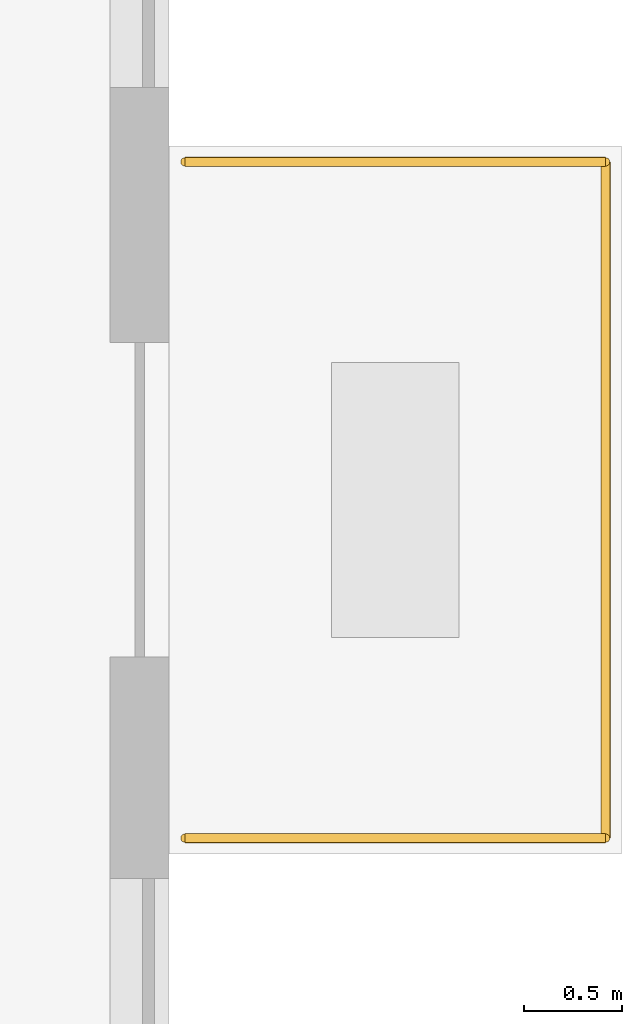
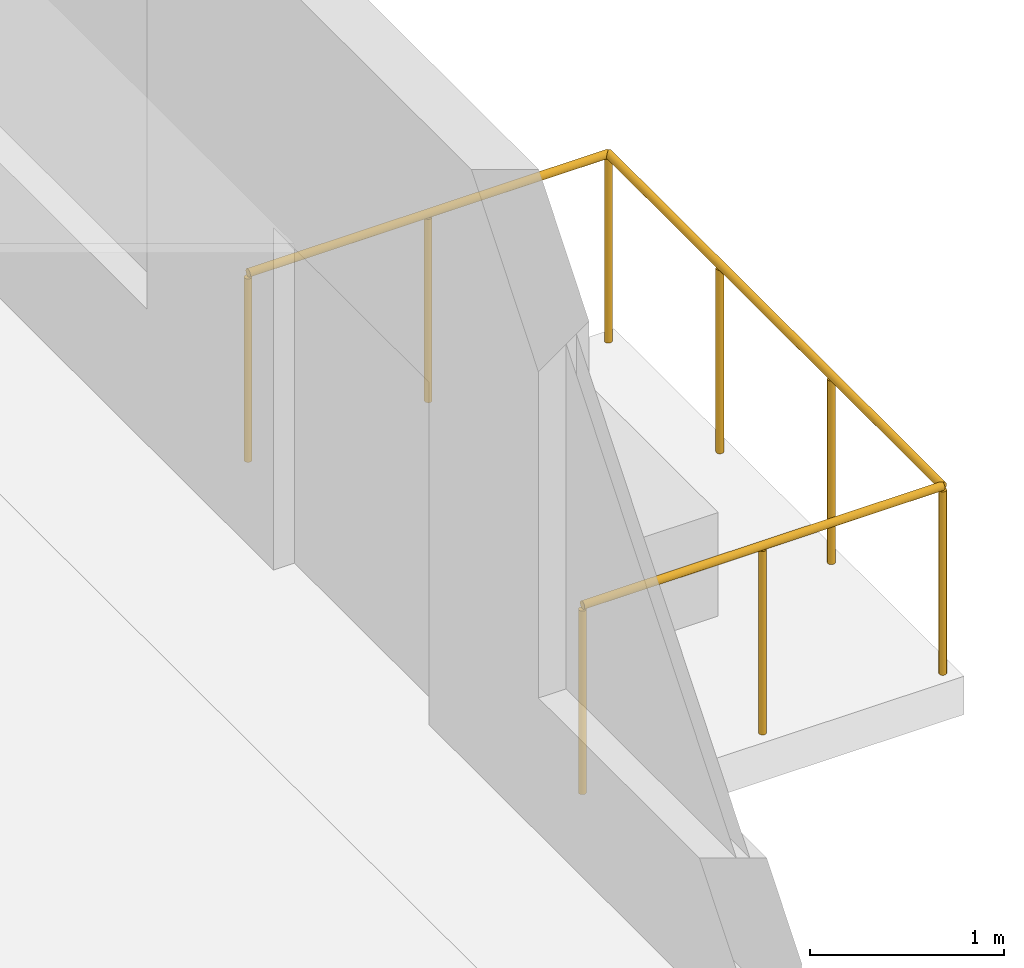
# One storey, part 11 of 11: 3 railings.
"""IFC4 building model written with IfcOpenShell, lengths in metres."""

from ifc_helpers import new_model, si_unit, direction, frame, origin, origin_2d, place, context, subcontext, project, spatial, circle, extrude, material, type_object, element, save


model = new_model("IFC4")

# Units and contexts
model_context = context("Model", 3, precision=1e-05, world=origin(), true_north=direction((0.0, 1.0)))
body_context = subcontext(model_context, "Body", "Model", "MODEL_VIEW")
ifc_project = project(units=[si_unit("LENGTHUNIT", "METRE"), si_unit("AREAUNIT", "SQUARE_METRE"), si_unit("VOLUMEUNIT", "CUBIC_METRE"), si_unit("PLANEANGLEUNIT", "RADIAN"), si_unit("MASSUNIT", "GRAM", prefix="KILO")], contexts=[model_context])

# Site, building, storey
site_placement = place(None, origin())
site = spatial("IfcSite", under=ifc_project, at=site_placement, CompositionType="ELEMENT")
building_placement = place(site_placement, origin())
building = spatial("IfcBuilding", under=site, at=building_placement, Name="Calvemar Wedge Station Tower", CompositionType="ELEMENT")
storey_placement = place(building_placement, frame((0.0, 0.0, 75.0)))
storey = spatial("IfcBuildingStorey", under=building, at=storey_placement, Name="L18", CompositionType="ELEMENT", Elevation=75.0)

# Railings
ifc_material = material(Name="Stainless steel AISI 316L", Category="steel")
railing_type = type_object("IfcRailingType", Name="GRD-TERR-1200", PredefinedType="GUARDRAIL", material=ifc_material)
railing_1_placement = place(storey_placement, frame((56.280029296875, 41.097900390625, 0.0)))
element("IfcRailing", 1, at=railing_1_placement, inside=storey, type_object=railing_type, Name="Storey L18 Spiral Terrace Guard 2", PredefinedType="GUARDRAIL", context=body_context, shape_type="SweptSolid", body=[
    extrude(circle(Radius=0.02392578125, at=origin_2d()), frame((0.0, 0.0, 1.17578125), z_axis=(1.0, 0.0, 0.0), x_axis=(0.0, 1.0, 0.0)), (0.0, 0.0, 1.0), 2.139892578125),
    extrude(circle(Radius=0.02099609375, at=origin_2d()), origin(), (0.0, 0.0, 1.0), 1.15185546875),
    extrude(circle(Radius=0.02099609375, at=origin_2d()), frame((1.06982421875, 0.0, 0.0)), (0.0, 0.0, 1.0), 1.15185546875),
    extrude(circle(Radius=0.02099609375, at=origin_2d()), frame((2.139892578125, 0.0, 0.0)), (0.0, 0.0, 1.0), 1.15185546875),
])
railing_2_placement = place(storey_placement, frame((58.419921875, 41.097900390625, 0.0)))
element("IfcRailing", 2, at=railing_2_placement, inside=storey, type_object=railing_type, Name="Storey L18 Spiral Terrace Guard 3", PredefinedType="GUARDRAIL", context=body_context, shape_type="SweptSolid", body=[
    extrude(circle(Radius=0.02392578125, at=origin_2d()), frame((0.0, 0.0, 1.17578125), z_axis=(0.0, -1.0, 0.0), x_axis=(1.0, 0.0, 0.0)), (0.0, 0.0, 1.0), 3.43994140625),
    extrude(circle(Radius=0.02099609375, at=origin_2d()), origin(), (0.0, 0.0, 1.0), 1.15185546875),
    extrude(circle(Radius=0.02099609375, at=origin_2d()), frame((0.0, -1.146728515625, 0.0)), (0.0, 0.0, 1.0), 1.15185546875),
    extrude(circle(Radius=0.02099609375, at=origin_2d()), frame((0.0, -2.293212890625, 0.0)), (0.0, 0.0, 1.0), 1.15185546875),
    extrude(circle(Radius=0.02099609375, at=origin_2d()), frame((0.0, -3.43994140625, 0.0)), (0.0, 0.0, 1.0), 1.15185546875),
])
railing_3_placement = place(storey_placement, frame((58.419921875, 37.657958984375, 0.0)))
element("IfcRailing", 3, at=railing_3_placement, inside=storey, type_object=railing_type, Name="Storey L18 Spiral Terrace Guard 4", PredefinedType="GUARDRAIL", context=body_context, shape_type="SweptSolid", body=[
    extrude(circle(Radius=0.02392578125, at=origin_2d()), frame((0.0, 0.0, 1.17578125), z_axis=(-1.0, 0.0, 0.0), x_axis=(0.0, -1.0, 0.0)), (0.0, 0.0, 1.0), 2.139892578125),
    extrude(circle(Radius=0.02099609375, at=origin_2d()), origin(), (0.0, 0.0, 1.0), 1.15185546875),
    extrude(circle(Radius=0.02099609375, at=origin_2d()), frame((-1.06982421875, 0.0, 0.0)), (0.0, 0.0, 1.0), 1.15185546875),
    extrude(circle(Radius=0.02099609375, at=origin_2d()), frame((-2.139892578125, 0.0, 0.0)), (0.0, 0.0, 1.0), 1.15185546875),
])

save(model, "model.ifc")
